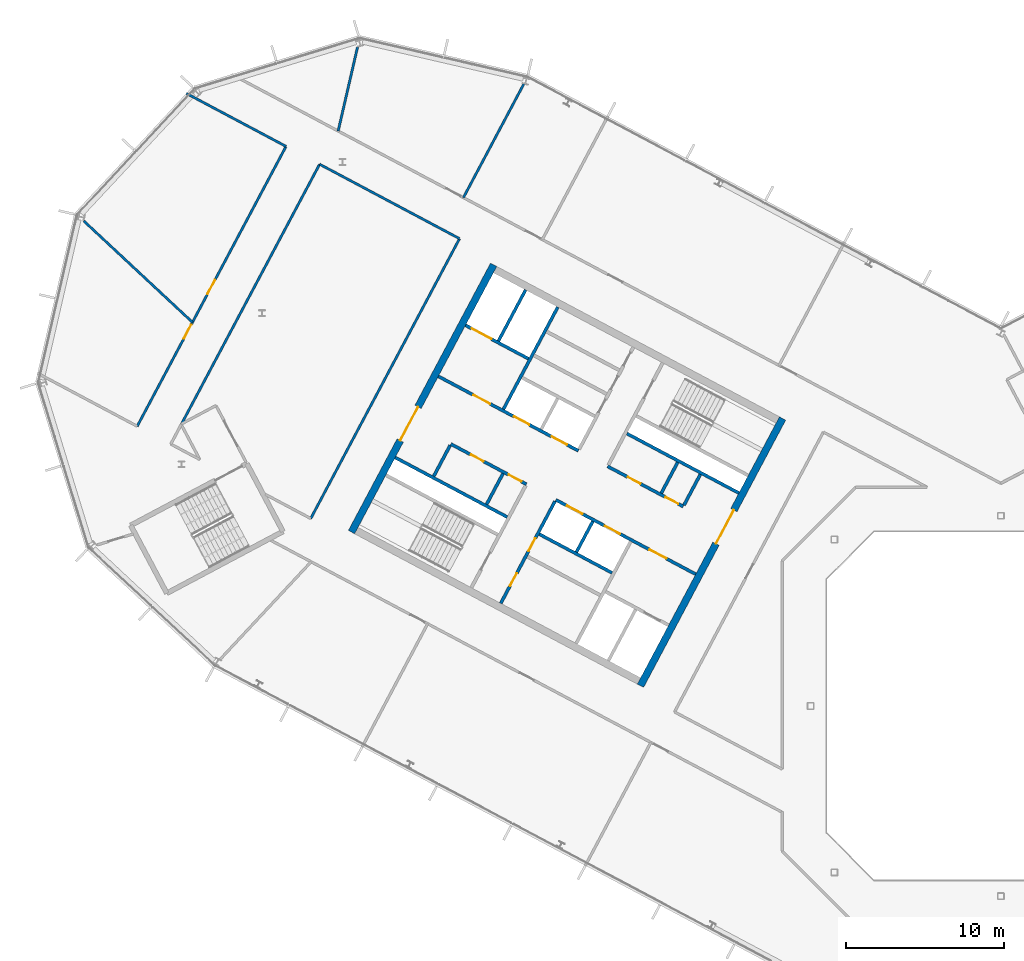
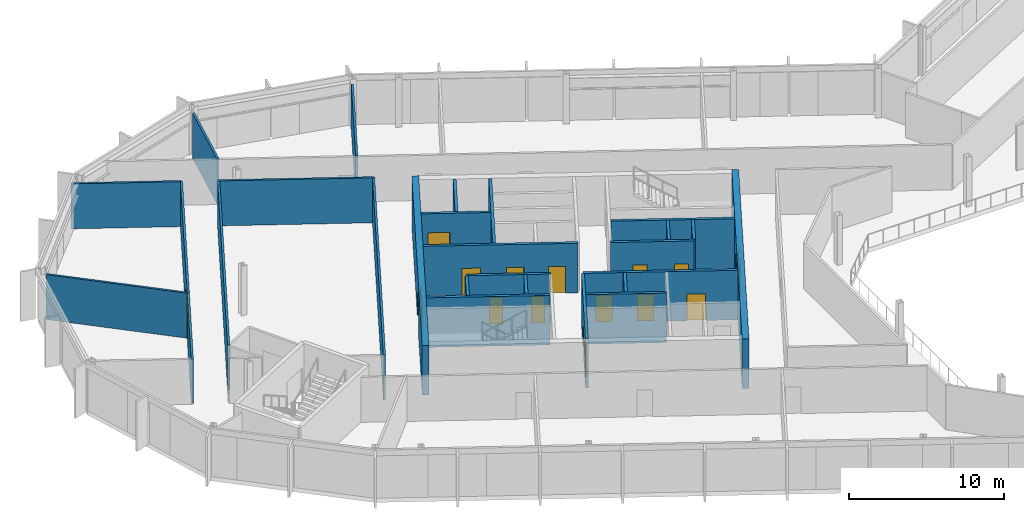
# One storey, part 14 of 26: 26 walls, 17 doors, 17 openings.
"""IFC4 building model written with IfcOpenShell, lengths in metres."""

from ifc_helpers import new_model, si_unit, direction, frame, frame_2d, origin, place, context, subcontext, project, spatial, rectangle, extrude, material, layer, layer_set, type_object, element, fill, save


model = new_model("IFC4")

# Units and contexts
model_context = context("Model", 3, precision=1e-05, world=origin(), true_north=direction((0.0, 1.0)))
body_context = subcontext(model_context, "Body", "Model", "MODEL_VIEW")
ifc_project = project(units=[si_unit("LENGTHUNIT", "METRE"), si_unit("AREAUNIT", "SQUARE_METRE"), si_unit("VOLUMEUNIT", "CUBIC_METRE"), si_unit("PLANEANGLEUNIT", "RADIAN"), si_unit("MASSUNIT", "GRAM", prefix="KILO")], contexts=[model_context])

# Site, building, storey
site_placement = place(None, origin())
site = spatial("IfcSite", under=ifc_project, at=site_placement, CompositionType="ELEMENT")
building_placement = place(site_placement, origin())
building = spatial("IfcBuilding", under=site, at=building_placement, Name="Cormorant Relay Tower", CompositionType="ELEMENT")
storey_placement = place(building_placement, frame((0.0, 0.0, 300.89990234375)))
storey = spatial("IfcBuildingStorey", under=building, at=storey_placement, Name="L68", CompositionType="ELEMENT", Elevation=300.89990234375)

# Walls
ifc_material_1 = material(Name="Concrete 40 MPa", Category="concrete")
ifc_layer_1 = layer(ifc_material_1, 0.199951171875)
ifc_layer_set_1 = layer_set([ifc_layer_1], Name="Core internal wall 200")
wall_type_1 = type_object("IfcWallType", Name="Core internal wall 200", PredefinedType="SOLIDWALL", material=ifc_layer_set_1)
wall_1_placement = place(storey_placement, frame((-20.39013671875, 15.371826171875, 0.0), z_axis=(0.0, 0.0, 1.0), x_axis=(-0.4694473164, -0.882960484464, 0.0)))
element("IfcWall", 1, at=wall_1_placement, inside=storey, type_object=wall_type_1, Name="L68 core A shaft and room wall", PredefinedType="SOLIDWALL", context=body_context, shape_type="SweptSolid", body=[
    extrude(rectangle(XDim=2.199951171875, YDim=0.199951171875, at=frame_2d((1.10009765625, 0.0))), origin(), (0.0, 0.0, 1.0), 3.900146484375),
])
wall_2_placement = place(storey_placement, frame((-25.744140625, 11.64990234375, 0.0), z_axis=(0.0, 0.0, 1.0), x_axis=(-0.469487830541, -0.882938942948, 0.0)))
element("IfcWall", 2, at=wall_2_placement, inside=storey, type_object=wall_type_1, Name="L68 core A shaft and room wall", PredefinedType="SOLIDWALL", context=body_context, shape_type="SweptSolid", body=[
    extrude(rectangle(XDim=2.2001953125, YDim=0.199951171875, at=frame_2d((1.10009765625, 0.0))), origin(), (0.0, 0.0, 1.0), 3.900146484375),
])
wall_3_placement = place(storey_placement, frame((-31.41259765625, 14.663818359375, 0.0), z_axis=(0.0, 0.0, 1.0), x_axis=(-0.469533832133, -0.882914480843, 0.0)))
element("IfcWall", 3, at=wall_3_placement, inside=storey, type_object=wall_type_1, Name="L68 core A shaft and room wall", PredefinedType="SOLIDWALL", context=body_context, shape_type="SweptSolid", body=[
    extrude(rectangle(XDim=2.199951171875, YDim=0.199951171875, at=frame_2d((1.10009765625, 0.0))), origin(), (0.0, 0.0, 1.0), 3.900146484375),
])
ifc_material_2 = material(Name="Concrete 50 MPa", Category="concrete")
ifc_layer_2 = layer(ifc_material_2, 0.199951171875)
ifc_layer_set_2 = layer_set([ifc_layer_2], Name="Core shaft wall 200")
wall_type_2 = type_object("IfcWallType", Name="Core shaft wall 200", PredefinedType="SHEAR", material=ifc_layer_set_2)
wall_4_placement = place(storey_placement, frame((-18.959716796875, 14.611328125, 0.0), z_axis=(0.0, 0.0, 1.0), x_axis=(-0.4694473164, -0.882960484464, 0.0)))
element("IfcWall", 4, at=wall_4_placement, inside=storey, type_object=wall_type_2, Name="L68 core A shaft wall", PredefinedType="SHEAR", context=body_context, shape_type="SweptSolid", body=[
    extrude(rectangle(XDim=2.199951171875, YDim=0.199951171875, at=frame_2d((1.10009765625, 0.0))), origin(), (0.0, 0.0, 1.0), 3.900146484375),
])

# Wall, openings, doors
wall_5_placement = place(storey_placement, frame((-28.128173828125, 12.91748046875, 0.0), z_axis=(0.0, 0.0, 1.0), x_axis=(-0.469454336211, -0.882956752176, 0.0)))
wall_5 = element("IfcWall", 5, at=wall_5_placement, inside=storey, type_object=wall_type_2, Name="L68 core A shaft wall", PredefinedType="SHEAR", context=body_context, shape_type="SweptSolid", body=[
    extrude(rectangle(XDim=7.300048828125, YDim=0.199951171875, at=frame_2d((3.64990234375, 0.0))), origin(), (0.0, 0.0, 1.0), 3.900146484375),
])
opening_1_placement = place(wall_5_placement, frame((2.64990234375, 0.0, 0.0)))
opening_1 = element("IfcOpeningElement", 6, at=opening_1_placement, cuts=wall_5, Name="Opening CDD-268", PredefinedType="OPENING", context=body_context, shape_type="SweptSolid", body=[
    extrude(rectangle(XDim=0.89990234375, YDim=2.10009765625, at=frame_2d((0.449951171875, 1.050048828125))), frame((0.0, 0.10986328125, 0.0), z_axis=(0.0, -1.0, 0.0), x_axis=(1.0, 0.0, 0.0)), (0.0, 0.0, 1.0), 0.219970703125),
])
opening_2_placement = place(wall_5_placement, frame((5.14990234375, 0.0, 0.0)))
opening_2 = element("IfcOpeningElement", 7, at=opening_2_placement, cuts=wall_5, Name="Opening CDD-339", PredefinedType="OPENING", context=body_context, shape_type="SweptSolid", body=[
    extrude(rectangle(XDim=0.89990234375, YDim=2.10009765625, at=frame_2d((0.449951171875, 1.050048828125))), frame((0.0, 0.10986328125, 0.0), z_axis=(0.0, -1.0, 0.0), x_axis=(1.0, 0.0, 0.0)), (0.0, 0.0, 1.0), 0.219970703125),
])
ifc_material_3 = material(Name="Steel fire door", Category="steel")
door_type_1 = type_object("IfcDoorType", Name="Core room door 900x2100", OperationType="SINGLE_SWING_LEFT", PredefinedType="DOOR", material=ifc_material_3)
door_1_placement = place(opening_1_placement, origin())
door_1 = element("IfcDoor", 8, at=door_1_placement, inside=storey, type_object=door_type_1, Name="Core room door 900x2100", OperationType="SINGLE_SWING_LEFT", OverallHeight=2.10009765625, OverallWidth=0.89990234375, PredefinedType="DOOR", context=body_context, shape_type="SweptSolid", body=[
    extrude(rectangle(XDim=0.89990234375, YDim=2.10009765625, at=frame_2d((0.449951171875, 1.050048828125))), frame((0.0, 0.02490234375, 0.0), z_axis=(0.0, -1.0, 0.0), x_axis=(1.0, 0.0, 0.0)), (0.0, 0.0, 1.0), 0.050048828125),
])
fill(opening_1, door_1)
door_2_placement = place(opening_2_placement, origin())
door_2 = element("IfcDoor", 9, at=door_2_placement, inside=storey, type_object=door_type_1, Name="Core room door 900x2100", OperationType="SINGLE_SWING_LEFT", OverallHeight=2.10009765625, OverallWidth=0.89990234375, PredefinedType="DOOR", context=body_context, shape_type="SweptSolid", body=[
    extrude(rectangle(XDim=0.89990234375, YDim=2.10009765625, at=frame_2d((0.449951171875, 1.050048828125))), frame((0.0, 0.02490234375, 0.0), z_axis=(0.0, -1.0, 0.0), x_axis=(1.0, 0.0, 0.0)), (0.0, 0.0, 1.0), 0.050048828125),
])
fill(opening_2, door_2)

# Walls
wall_6_placement = place(storey_placement, frame((-27.955322265625, 25.170654296875, 0.0), z_axis=(0.0, 0.0, 1.0), x_axis=(-0.469480409012, -0.88294288918, 0.0)))
element("IfcWall", 10, at=wall_6_placement, inside=storey, type_object=wall_type_2, Name="L68 core A shaft wall", PredefinedType="SHEAR", context=body_context, shape_type="SweptSolid", body=[
    extrude(rectangle(XDim=7.300048828125, YDim=0.199951171875, at=frame_2d((3.64990234375, 0.0))), origin(), (0.0, 0.0, 1.0), 3.900146484375),
])
wall_7_placement = place(storey_placement, frame((-34.750244140625, 16.4384765625, 0.0), z_axis=(0.0, 0.0, 1.0), x_axis=(-0.469401318492, -0.882984938828, 0.0)))
element("IfcWall", 11, at=wall_7_placement, inside=storey, type_object=wall_type_2, Name="L68 core A shaft wall", PredefinedType="SHEAR", context=body_context, shape_type="SweptSolid", body=[
    extrude(rectangle(XDim=2.199951171875, YDim=0.199951171875, at=frame_2d((1.10009765625, 0.0))), origin(), (0.0, 0.0, 1.0), 3.900146484375),
])
wall_8_placement = place(storey_placement, frame((-29.986083984375, 26.250244140625, 0.0), z_axis=(0.0, 0.0, 1.0), x_axis=(-0.469494272526, -0.882935517501, 0.0)))
element("IfcWall", 12, at=wall_8_placement, inside=storey, type_object=wall_type_2, Name="L68 core A shaft wall", PredefinedType="SHEAR", context=body_context, shape_type="SweptSolid", body=[
    extrude(rectangle(XDim=3.64990234375, YDim=0.199951171875, at=frame_2d((1.824951171875, 0.0))), origin(), (0.0, 0.0, 1.0), 3.900146484375),
])

# Wall, opening, door
wall_9_placement = place(storey_placement, frame((-29.80419921875, 21.906494140625, 0.0), z_axis=(0.0, 0.0, 1.0), x_axis=(-0.882960433586, 0.469447412093, 0.0)))
wall_9 = element("IfcWall", 13, at=wall_9_placement, inside=storey, type_object=wall_type_2, Name="L68 core A shaft wall", PredefinedType="SHEAR", context=body_context, shape_type="SweptSolid", body=[
    extrude(rectangle(XDim=4.5, YDim=0.199951171875, at=frame_2d((2.25, 0.0))), origin(), (0.0, 0.0, 1.0), 3.900146484375),
])
opening_3_placement = place(wall_9_placement, frame((2.64990234375, 0.0, 0.0)))
opening_3 = element("IfcOpeningElement", 14, at=opening_3_placement, cuts=wall_9, Name="Opening LD3-015", PredefinedType="OPENING", context=body_context, shape_type="SweptSolid", body=[
    extrude(rectangle(XDim=1.39990234375, YDim=2.39990234375, at=frame_2d((0.699951171875, 1.199951171875))), frame((0.0, 0.10986328125, 0.0), z_axis=(0.0, -1.0, 0.0), x_axis=(1.0, 0.0, 0.0)), (0.0, 0.0, 1.0), 0.219970703125),
])
ifc_material_4 = material(Name="Stainless steel 316", Category="steel")
door_type_2 = type_object("IfcDoorType", Name="Lift landing door 1400x2400", OperationType="DOUBLE_DOOR_SLIDING", PredefinedType="DOOR", material=ifc_material_4)
door_3_placement = place(opening_3_placement, origin())
door_3 = element("IfcDoor", 15, at=door_3_placement, inside=storey, type_object=door_type_2, Name="SV1 landing door", OperationType="DOUBLE_DOOR_SLIDING", OverallHeight=2.39990234375, OverallWidth=1.39990234375, PredefinedType="DOOR", context=body_context, shape_type="SweptSolid", body=[
    extrude(rectangle(XDim=1.39990234375, YDim=2.39990234375, at=frame_2d((0.699951171875, 1.199951171875))), frame((0.0, 0.02490234375, 0.0), z_axis=(0.0, -1.0, 0.0), x_axis=(1.0, 0.0, 0.0)), (0.0, 0.0, 1.0), 0.050048828125),
])
fill(opening_3, door_3)

# Wall
wall_10_placement = place(storey_placement, frame((-16.52880859375, 13.43212890625, 0.0), z_axis=(0.0, 0.0, 1.0), x_axis=(-0.88295287151, 0.469461634952, 0.0)))
element("IfcWall", 16, at=wall_10_placement, inside=storey, type_object=wall_type_2, Name="L68 core A shaft wall", PredefinedType="SHEAR", context=body_context, shape_type="SweptSolid", body=[
    extrude(rectangle(XDim=7.999755859375, YDim=0.199951171875, at=frame_2d((4.0, 0.0))), origin(), (0.0, 0.0, 1.0), 3.900146484375),
])

# Wall, openings, doors
wall_11_placement = place(storey_placement, frame((-20.03955078125, 12.58056640625, 0.0), z_axis=(0.0, 0.0, 1.0), x_axis=(-0.882942972946, 0.469480251476, 0.0)))
wall_11 = element("IfcWall", 17, at=wall_11_placement, inside=storey, type_object=wall_type_2, Name="L68 core A shaft wall", PredefinedType="SHEAR", context=body_context, shape_type="SweptSolid", body=[
    extrude(rectangle(XDim=5.39990234375, YDim=0.199951171875, at=frame_2d((2.699951171875, 0.0))), origin(), (0.0, 0.0, 1.0), 3.900146484375),
])
opening_4_placement = place(wall_11_placement, frame((0.360107421875, 0.0, 0.0)))
opening_4 = element("IfcOpeningElement", 18, at=opening_4_placement, cuts=wall_11, Name="Opening CDD-337", PredefinedType="OPENING", context=body_context, shape_type="SweptSolid", body=[
    extrude(rectangle(XDim=0.89990234375, YDim=2.10009765625, at=frame_2d((0.449951171875, 1.050048828125))), frame((0.0, 0.10986328125, 0.0), z_axis=(0.0, -1.0, 0.0), x_axis=(1.0, 0.0, 0.0)), (0.0, 0.0, 1.0), 0.219970703125),
])
opening_5_placement = place(wall_11_placement, frame((3.06005859375, 0.0, 0.0)))
opening_5 = element("IfcOpeningElement", 19, at=opening_5_placement, cuts=wall_11, Name="Opening CDD-338", PredefinedType="OPENING", context=body_context, shape_type="SweptSolid", body=[
    extrude(rectangle(XDim=0.89990234375, YDim=2.10009765625, at=frame_2d((0.449951171875, 1.050048828125))), frame((0.0, 0.10986328125, 0.0), z_axis=(0.0, -1.0, 0.0), x_axis=(1.0, 0.0, 0.0)), (0.0, 0.0, 1.0), 0.219970703125),
])
door_4_placement = place(opening_4_placement, frame((0.89990234375, 0.0, 0.0), z_axis=(0.0, 0.0, 1.0), x_axis=(-1.0, 0.0, 0.0)))
door_4 = element("IfcDoor", 20, at=door_4_placement, inside=storey, type_object=door_type_1, Name="Core room door 900x2100", OperationType="SINGLE_SWING_RIGHT", OverallHeight=2.10009765625, OverallWidth=0.89990234375, PredefinedType="DOOR", context=body_context, shape_type="SweptSolid", body=[
    extrude(rectangle(XDim=0.89990234375, YDim=2.10009765625, at=frame_2d((0.449951171875, 1.050048828125))), frame((0.0, 0.02490234375, 0.0), z_axis=(0.0, -1.0, 0.0), x_axis=(1.0, 0.0, 0.0)), (0.0, 0.0, 1.0), 0.050048828125),
])
fill(opening_4, door_4)
door_5_placement = place(opening_5_placement, frame((0.89990234375, 0.0, 0.0), z_axis=(0.0, 0.0, 1.0), x_axis=(-1.0, 0.0, 0.0)))
door_5 = element("IfcDoor", 21, at=door_5_placement, inside=storey, type_object=door_type_1, Name="Core room door 900x2100", OperationType="SINGLE_SWING_RIGHT", OverallHeight=2.10009765625, OverallWidth=0.89990234375, PredefinedType="DOOR", context=body_context, shape_type="SweptSolid", body=[
    extrude(rectangle(XDim=0.89990234375, YDim=2.10009765625, at=frame_2d((0.449951171875, 1.050048828125))), frame((0.0, 0.02490234375, 0.0), z_axis=(0.0, -1.0, 0.0), x_axis=(1.0, 0.0, 0.0)), (0.0, 0.0, 1.0), 0.050048828125),
])
fill(opening_5, door_5)

wall_12_placement = place(storey_placement, frame((-26.66162109375, 16.1015625, 0.0), z_axis=(0.0, 0.0, 1.0), x_axis=(-0.882940221191, 0.469485426614, 0.0)))
wall_12 = element("IfcWall", 22, at=wall_12_placement, inside=storey, type_object=wall_type_2, Name="L68 core A shaft wall", PredefinedType="SHEAR", context=body_context, shape_type="SweptSolid", body=[
    extrude(rectangle(XDim=10.0, YDim=0.199951171875, at=frame_2d((5.0, 0.0))), origin(), (0.0, 0.0, 1.0), 3.900146484375),
])
opening_6_placement = place(wall_12_placement, frame((6.300048828125, 0.0, 0.0)))
opening_6 = element("IfcOpeningElement", 23, at=opening_6_placement, cuts=wall_12, Name="Opening CDC-039", PredefinedType="OPENING", context=body_context, shape_type="SweptSolid", body=[
    extrude(rectangle(XDim=1.199951171875, YDim=2.10009765625, at=frame_2d((0.60009765625, 1.050048828125))), frame((0.0, 0.10986328125, 0.0), z_axis=(0.0, -1.0, 0.0), x_axis=(1.0, 0.0, 0.0)), (0.0, 0.0, 1.0), 0.219970703125),
])
opening_7_placement = place(wall_12_placement, frame((0.800048828125, 0.0, 0.0)))
opening_7 = element("IfcOpeningElement", 24, at=opening_7_placement, cuts=wall_12, Name="Opening LD1-067", PredefinedType="OPENING", context=body_context, shape_type="SweptSolid", body=[
    extrude(rectangle(XDim=1.10009765625, YDim=2.10009765625, at=frame_2d((0.550048828125, 1.050048828125))), frame((0.0, 0.10986328125, 0.0), z_axis=(0.0, -1.0, 0.0), x_axis=(1.0, 0.0, 0.0)), (0.0, 0.0, 1.0), 0.219970703125),
])
opening_8_placement = place(wall_12_placement, frame((3.5, 0.0, 0.0)))
opening_8 = element("IfcOpeningElement", 25, at=opening_8_placement, cuts=wall_12, Name="Opening LD1-068", PredefinedType="OPENING", context=body_context, shape_type="SweptSolid", body=[
    extrude(rectangle(XDim=1.10009765625, YDim=2.10009765625, at=frame_2d((0.550048828125, 1.050048828125))), frame((0.0, 0.10986328125, 0.0), z_axis=(0.0, -1.0, 0.0), x_axis=(1.0, 0.0, 0.0)), (0.0, 0.0, 1.0), 0.219970703125),
])
ifc_material_5 = material(Name="Steel fire door", Category="steel")
door_type_3 = type_object("IfcDoorType", Name="Core lobby door 1200x2100", OperationType="SINGLE_SWING_LEFT", PredefinedType="DOOR", material=ifc_material_5)
door_6_placement = place(opening_6_placement, frame((1.199951171875, 0.0, 0.0), z_axis=(0.0, 0.0, 1.0), x_axis=(-1.0, 0.0, 0.0)))
door_6 = element("IfcDoor", 26, at=door_6_placement, inside=storey, type_object=door_type_3, Name="Core lobby door 1200x2100", OperationType="SINGLE_SWING_RIGHT", OverallHeight=2.10009765625, OverallWidth=1.199951171875, PredefinedType="DOOR", context=body_context, shape_type="SweptSolid", body=[
    extrude(rectangle(XDim=1.199951171875, YDim=2.10009765625, at=frame_2d((0.60009765625, 1.050048828125))), frame((0.0, 0.02490234375, 0.0), z_axis=(0.0, -1.0, 0.0), x_axis=(1.0, 0.0, 0.0)), (0.0, 0.0, 1.0), 0.050048828125),
])
fill(opening_6, door_6)
ifc_material_6 = material(Name="Stainless steel 316", Category="steel")
door_type_4 = type_object("IfcDoorType", Name="Lift landing door 1100x2100", OperationType="DOUBLE_DOOR_SLIDING", PredefinedType="DOOR", material=ifc_material_6)
door_7_placement = place(opening_7_placement, origin())
door_7 = element("IfcDoor", 27, at=door_7_placement, inside=storey, type_object=door_type_4, Name="HR3 landing door", OperationType="DOUBLE_DOOR_SLIDING", OverallHeight=2.10009765625, OverallWidth=1.10009765625, PredefinedType="DOOR", context=body_context, shape_type="SweptSolid", body=[
    extrude(rectangle(XDim=1.10009765625, YDim=2.10009765625, at=frame_2d((0.550048828125, 1.050048828125))), frame((0.0, 0.02490234375, 0.0), z_axis=(0.0, -1.0, 0.0), x_axis=(1.0, 0.0, 0.0)), (0.0, 0.0, 1.0), 0.050048828125),
])
fill(opening_7, door_7)
door_8_placement = place(opening_8_placement, origin())
door_8 = element("IfcDoor", 28, at=door_8_placement, inside=storey, type_object=door_type_4, Name="HR4 landing door", OperationType="DOUBLE_DOOR_SLIDING", OverallHeight=2.10009765625, OverallWidth=1.10009765625, PredefinedType="DOOR", context=body_context, shape_type="SweptSolid", body=[
    extrude(rectangle(XDim=1.10009765625, YDim=2.10009765625, at=frame_2d((0.550048828125, 1.050048828125))), frame((0.0, 0.02490234375, 0.0), z_axis=(0.0, -1.0, 0.0), x_axis=(1.0, 0.0, 0.0)), (0.0, 0.0, 1.0), 0.050048828125),
])
fill(opening_8, door_8)

wall_13_placement = place(storey_placement, frame((-19.251708984375, 8.31103515625, 0.0), z_axis=(0.0, 0.0, 1.0), x_axis=(-0.882955722218, 0.469456273365, 0.0)))
wall_13 = element("IfcWall", 29, at=wall_13_placement, inside=storey, type_object=wall_type_2, Name="L68 core A shaft wall", PredefinedType="SHEAR", context=body_context, shape_type="SweptSolid", body=[
    extrude(rectangle(XDim=10.0, YDim=0.199951171875, at=frame_2d((5.0, 0.0))), origin(), (0.0, 0.0, 1.0), 3.900146484375),
])
opening_9_placement = place(wall_13_placement, frame((2.10009765625, 0.0, 0.0)))
opening_9 = element("IfcOpeningElement", 30, at=opening_9_placement, cuts=wall_13, Name="Opening CDC-033", PredefinedType="OPENING", context=body_context, shape_type="SweptSolid", body=[
    extrude(rectangle(XDim=1.199951171875, YDim=2.10009765625, at=frame_2d((0.60009765625, 1.050048828125))), frame((0.0, 0.10986328125, 0.0), z_axis=(0.0, -1.0, 0.0), x_axis=(1.0, 0.0, 0.0)), (0.0, 0.0, 1.0), 0.219970703125),
])
opening_10_placement = place(wall_13_placement, frame((5.39990234375, 0.0, 0.0)))
opening_10 = element("IfcOpeningElement", 31, at=opening_10_placement, cuts=wall_13, Name="Opening LD1-065", PredefinedType="OPENING", context=body_context, shape_type="SweptSolid", body=[
    extrude(rectangle(XDim=1.10009765625, YDim=2.10009765625, at=frame_2d((0.550048828125, 1.050048828125))), frame((0.0, 0.10986328125, 0.0), z_axis=(0.0, -1.0, 0.0), x_axis=(1.0, 0.0, 0.0)), (0.0, 0.0, 1.0), 0.219970703125),
])
opening_11_placement = place(wall_13_placement, frame((8.10009765625, 0.0, 0.0)))
opening_11 = element("IfcOpeningElement", 32, at=opening_11_placement, cuts=wall_13, Name="Opening LD1-066", PredefinedType="OPENING", context=body_context, shape_type="SweptSolid", body=[
    extrude(rectangle(XDim=1.10009765625, YDim=2.10009765625, at=frame_2d((0.550048828125, 1.050048828125))), frame((0.0, 0.10986328125, 0.0), z_axis=(0.0, -1.0, 0.0), x_axis=(1.0, 0.0, 0.0)), (0.0, 0.0, 1.0), 0.219970703125),
])
door_9_placement = place(opening_9_placement, origin())
door_9 = element("IfcDoor", 33, at=door_9_placement, inside=storey, type_object=door_type_3, Name="Core lobby door 1200x2100", OperationType="SINGLE_SWING_RIGHT", OverallHeight=2.10009765625, OverallWidth=1.199951171875, PredefinedType="DOOR", context=body_context, shape_type="SweptSolid", body=[
    extrude(rectangle(XDim=1.199951171875, YDim=2.10009765625, at=frame_2d((0.60009765625, 1.050048828125))), frame((0.0, 0.02490234375, 0.0), z_axis=(0.0, -1.0, 0.0), x_axis=(1.0, 0.0, 0.0)), (0.0, 0.0, 1.0), 0.050048828125),
])
fill(opening_9, door_9)
door_10_placement = place(opening_10_placement, origin())
door_10 = element("IfcDoor", 34, at=door_10_placement, inside=storey, type_object=door_type_4, Name="HR1 landing door", OperationType="DOUBLE_DOOR_SLIDING", OverallHeight=2.10009765625, OverallWidth=1.10009765625, PredefinedType="DOOR", context=body_context, shape_type="SweptSolid", body=[
    extrude(rectangle(XDim=1.10009765625, YDim=2.10009765625, at=frame_2d((0.550048828125, 1.050048828125))), frame((0.0, 0.02490234375, 0.0), z_axis=(0.0, -1.0, 0.0), x_axis=(1.0, 0.0, 0.0)), (0.0, 0.0, 1.0), 0.050048828125),
])
fill(opening_10, door_10)
door_11_placement = place(opening_11_placement, origin())
door_11 = element("IfcDoor", 35, at=door_11_placement, inside=storey, type_object=door_type_4, Name="HR2 landing door", OperationType="DOUBLE_DOOR_SLIDING", OverallHeight=2.10009765625, OverallWidth=1.10009765625, PredefinedType="DOOR", context=body_context, shape_type="SweptSolid", body=[
    extrude(rectangle(XDim=1.10009765625, YDim=2.10009765625, at=frame_2d((0.550048828125, 1.050048828125))), frame((0.0, 0.02490234375, 0.0), z_axis=(0.0, -1.0, 0.0), x_axis=(1.0, 0.0, 0.0)), (0.0, 0.0, 1.0), 0.050048828125),
])
fill(opening_11, door_11)

wall_14_placement = place(storey_placement, frame((-29.935302734375, 13.991455078125, 0.0), z_axis=(0.0, 0.0, 1.0), x_axis=(-0.882952937579, 0.469461510692, 0.0)))
wall_14 = element("IfcWall", 36, at=wall_14_placement, inside=storey, type_object=wall_type_2, Name="L68 core A shaft wall", PredefinedType="SHEAR", context=body_context, shape_type="SweptSolid", body=[
    extrude(rectangle(XDim=5.400146484375, YDim=0.199951171875, at=frame_2d((2.7001953125, 0.0))), origin(), (0.0, 0.0, 1.0), 3.900146484375),
])
opening_12_placement = place(wall_14_placement, frame((0.360107421875, 0.0, 0.0)))
opening_12 = element("IfcOpeningElement", 37, at=opening_12_placement, cuts=wall_14, Name="Opening CDD-320", PredefinedType="OPENING", context=body_context, shape_type="SweptSolid", body=[
    extrude(rectangle(XDim=0.89990234375, YDim=2.10009765625, at=frame_2d((0.449951171875, 1.050048828125))), frame((0.0, 0.10986328125, 0.0), z_axis=(0.0, -1.0, 0.0), x_axis=(1.0, 0.0, 0.0)), (0.0, 0.0, 1.0), 0.219970703125),
])
opening_13_placement = place(wall_14_placement, frame((3.06005859375, 0.0, 0.0)))
opening_13 = element("IfcOpeningElement", 38, at=opening_13_placement, cuts=wall_14, Name="Opening CDD-321", PredefinedType="OPENING", context=body_context, shape_type="SweptSolid", body=[
    extrude(rectangle(XDim=0.89990234375, YDim=2.10009765625, at=frame_2d((0.449951171875, 1.050048828125))), frame((0.0, 0.10986328125, 0.0), z_axis=(0.0, -1.0, 0.0), x_axis=(1.0, 0.0, 0.0)), (0.0, 0.0, 1.0), 0.219970703125),
])
door_12_placement = place(opening_12_placement, origin())
door_12 = element("IfcDoor", 39, at=door_12_placement, inside=storey, type_object=door_type_1, Name="Core room door 900x2100", OperationType="SINGLE_SWING_LEFT", OverallHeight=2.10009765625, OverallWidth=0.89990234375, PredefinedType="DOOR", context=body_context, shape_type="SweptSolid", body=[
    extrude(rectangle(XDim=0.89990234375, YDim=2.10009765625, at=frame_2d((0.449951171875, 1.050048828125))), frame((0.0, 0.02490234375, 0.0), z_axis=(0.0, -1.0, 0.0), x_axis=(1.0, 0.0, 0.0)), (0.0, 0.0, 1.0), 0.050048828125),
])
fill(opening_12, door_12)
door_13_placement = place(opening_13_placement, origin())
door_13 = element("IfcDoor", 40, at=door_13_placement, inside=storey, type_object=door_type_1, Name="Core room door 900x2100", OperationType="SINGLE_SWING_LEFT", OverallHeight=2.10009765625, OverallWidth=0.89990234375, PredefinedType="DOOR", context=body_context, shape_type="SweptSolid", body=[
    extrude(rectangle(XDim=0.89990234375, YDim=2.10009765625, at=frame_2d((0.449951171875, 1.050048828125))), frame((0.0, 0.02490234375, 0.0), z_axis=(0.0, -1.0, 0.0), x_axis=(1.0, 0.0, 0.0)), (0.0, 0.0, 1.0), 0.050048828125),
])
fill(opening_13, door_13)

# Walls
wall_15_placement = place(storey_placement, frame((-24.5283203125, 8.3984375, 0.0), z_axis=(0.0, 0.0, 1.0), x_axis=(-0.882953967957, 0.469459572775, 0.0)))
element("IfcWall", 41, at=wall_15_placement, inside=storey, type_object=wall_type_2, Name="L68 core A shaft wall", PredefinedType="SHEAR", context=body_context, shape_type="SweptSolid", body=[
    extrude(rectangle(XDim=5.199951171875, YDim=0.199951171875, at=frame_2d((2.60009765625, 0.0))), origin(), (0.0, 0.0, 1.0), 3.900146484375),
])
wall_16_placement = place(storey_placement, frame((-31.150390625, 11.91943359375, 0.0), z_axis=(0.0, 0.0, 1.0), x_axis=(-0.882940221191, 0.469485426614, 0.0)))
element("IfcWall", 42, at=wall_16_placement, inside=storey, type_object=wall_type_2, Name="L68 core A shaft wall", PredefinedType="SHEAR", context=body_context, shape_type="SweptSolid", body=[
    extrude(rectangle(XDim=8.0, YDim=0.199951171875, at=frame_2d((4.0, 0.0))), origin(), (0.0, 0.0, 1.0), 3.900146484375),
])

# Wall, opening, door
ifc_material_7 = material(Name="Concrete 50 MPa", Category="concrete")
ifc_layer_3 = layer(ifc_material_7, 0.449951171875)
ifc_layer_set_3 = layer_set([ifc_layer_3], Name="Core wall 450")
wall_type_3 = type_object("IfcWallType", Name="Core wall 450", PredefinedType="SHEAR", material=ifc_layer_set_3)
wall_17_placement = place(storey_placement, frame((-13.771484375, 18.138427734375, 0.0), z_axis=(0.0, 0.0, 1.0), x_axis=(-0.469467968382, -0.882949504028, 0.0)))
wall_17 = element("IfcWall", 43, at=wall_17_placement, inside=storey, type_object=wall_type_3, Name="L68 core A wall", PredefinedType="SHEAR", context=body_context, shape_type="SweptSolid", body=[
    extrude(rectangle(XDim=19.099853515625, YDim=0.449951171875, at=frame_2d((9.5498046875, 0.0))), origin(), (0.0, 0.0, 1.0), 3.900146484375),
])
opening_14_placement = place(wall_17_placement, frame((6.550048828125, 0.0, 0.0)))
opening_14 = element("IfcOpeningElement", 44, at=opening_14_placement, cuts=wall_17, Name="Opening CDA-050", PredefinedType="OPENING", context=body_context, shape_type="SweptSolid", body=[
    extrude(rectangle(XDim=2.39990234375, YDim=2.39990234375, at=frame_2d((1.199951171875, 1.199951171875))), frame((0.0, 0.23486328125, 0.0), z_axis=(0.0, -1.0, 0.0), x_axis=(1.0, 0.0, 0.0)), (0.0, 0.0, 1.0), 0.469970703125),
])
ifc_material_8 = material(Name="Steel fire door", Category="steel")
door_type_5 = type_object("IfcDoorType", Name="Core lobby door 2400x2400", OperationType="DOUBLE_DOOR_SINGLE_SWING", PredefinedType="DOOR", material=ifc_material_8)
door_14_placement = place(opening_14_placement, origin())
door_14 = element("IfcDoor", 45, at=door_14_placement, inside=storey, type_object=door_type_5, Name="Core lobby door 2400x2400", OperationType="DOUBLE_DOOR_SINGLE_SWING", OverallHeight=2.39990234375, OverallWidth=2.39990234375, PredefinedType="DOOR", context=body_context, shape_type="SweptSolid", body=[
    extrude(rectangle(XDim=2.39990234375, YDim=2.39990234375, at=frame_2d((1.199951171875, 1.199951171875))), frame((0.0, 0.02490234375, 0.0), z_axis=(0.0, -1.0, 0.0), x_axis=(1.0, 0.0, 0.0)), (0.0, 0.0, 1.0), 0.050048828125),
])
fill(opening_14, door_14)

wall_18_placement = place(storey_placement, frame((-32.00439453125, 27.8330078125, 0.0), z_axis=(0.0, 0.0, 1.0), x_axis=(-0.469467968382, -0.882949504028, 0.0)))
wall_18 = element("IfcWall", 46, at=wall_18_placement, inside=storey, type_object=wall_type_3, Name="L68 core A wall", PredefinedType="SHEAR", context=body_context, shape_type="SweptSolid", body=[
    extrude(rectangle(XDim=19.099853515625, YDim=0.449951171875, at=frame_2d((9.5498046875, 0.0))), origin(), (0.0, 0.0, 1.0), 3.900146484375),
])
opening_15_placement = place(wall_18_placement, frame((10.14990234375, 0.0, 0.0)))
opening_15 = element("IfcOpeningElement", 47, at=opening_15_placement, cuts=wall_18, Name="Opening CDA-056", PredefinedType="OPENING", context=body_context, shape_type="SweptSolid", body=[
    extrude(rectangle(XDim=2.39990234375, YDim=2.39990234375, at=frame_2d((1.199951171875, 1.199951171875))), frame((0.0, 0.23486328125, 0.0), z_axis=(0.0, -1.0, 0.0), x_axis=(1.0, 0.0, 0.0)), (0.0, 0.0, 1.0), 0.469970703125),
])
door_15_placement = place(opening_15_placement, frame((2.39990234375, 0.0, 0.0), z_axis=(0.0, 0.0, 1.0), x_axis=(-1.0, 0.0, 0.0)))
door_15 = element("IfcDoor", 48, at=door_15_placement, inside=storey, type_object=door_type_5, Name="Core lobby door 2400x2400", OperationType="DOUBLE_DOOR_SINGLE_SWING", OverallHeight=2.39990234375, OverallWidth=2.39990234375, PredefinedType="DOOR", context=body_context, shape_type="SweptSolid", body=[
    extrude(rectangle(XDim=2.39990234375, YDim=2.39990234375, at=frame_2d((1.199951171875, 1.199951171875))), frame((0.0, 0.02490234375, 0.0), z_axis=(0.0, -1.0, 0.0), x_axis=(1.0, 0.0, 0.0)), (0.0, 0.0, 1.0), 0.050048828125),
])
fill(opening_15, door_15)

# Wall, openings, doors
ifc_material_9 = material(Name="Gypsum board fire partition")
ifc_layer_4 = layer(ifc_material_9, 0.14990234375)
ifc_layer_set_4 = layer_set([ifc_layer_4], Name="Corridor partition 150 EI 60")
wall_type_4 = type_object("IfcWallType", Name="Corridor partition 150 EI 60", PredefinedType="PARTITIONING", material=ifc_layer_set_4)
wall_19_placement = place(storey_placement, frame((-54.492919921875, 17.64892578125, 0.0), z_axis=(0.0, 0.0, 1.0), x_axis=(0.469446756585, 0.882960782103, 0.0)))
wall_19 = element("IfcWall", 49, at=wall_19_placement, inside=storey, type_object=wall_type_4, Name="wall/L68/part/001", PredefinedType="PARTITIONING", context=body_context, shape_type="SweptSolid", body=[
    extrude(rectangle(XDim=20.0, YDim=0.14990234375, at=frame_2d((10.0, 0.0))), origin(), (0.0, 0.0, 1.0), 3.5400390625),
])
opening_16_placement = place(wall_19_placement, frame((9.449951171875, 0.0, 0.0)))
opening_16 = element("IfcOpeningElement", 50, at=opening_16_placement, cuts=wall_19, Name="Opening DS-232", PredefinedType="OPENING", context=body_context, shape_type="SweptSolid", body=[
    extrude(rectangle(XDim=1.0, YDim=2.10009765625, at=frame_2d((0.5, 1.050048828125))), frame((0.0, 0.0849609375, 0.0), z_axis=(0.0, -1.0, 0.0), x_axis=(1.0, 0.0, 0.0)), (0.0, 0.0, 1.0), 0.169921875),
])
opening_17_placement = place(wall_19_placement, frame((6.25, 0.0, 0.0)))
opening_17 = element("IfcOpeningElement", 51, at=opening_17_placement, cuts=wall_19, Name="Opening DS-233", PredefinedType="OPENING", context=body_context, shape_type="SweptSolid", body=[
    extrude(rectangle(XDim=1.0, YDim=2.10009765625, at=frame_2d((0.5, 1.050048828125))), frame((0.0, 0.0849609375, 0.0), z_axis=(0.0, -1.0, 0.0), x_axis=(1.0, 0.0, 0.0)), (0.0, 0.0, 1.0), 0.169921875),
])
ifc_material_10 = material(Name="Timber door leaf", Category="wood")
door_type_6 = type_object("IfcDoorType", Name="Suite door 1000x2100", OperationType="SINGLE_SWING_LEFT", PredefinedType="DOOR", material=ifc_material_10)
door_16_placement = place(opening_16_placement, frame((1.0, 0.0, 0.0), z_axis=(0.0, 0.0, 1.0), x_axis=(-1.0, 0.0, 0.0)))
door_16 = element("IfcDoor", 52, at=door_16_placement, inside=storey, type_object=door_type_6, Name="door/L68/001", OperationType="SINGLE_SWING_LEFT", OverallHeight=2.10009765625, OverallWidth=1.0, PredefinedType="DOOR", context=body_context, shape_type="SweptSolid", body=[
    extrude(rectangle(XDim=1.0, YDim=2.10009765625, at=frame_2d((0.5, 1.050048828125))), frame((0.0, 0.02490234375, 0.0), z_axis=(0.0, -1.0, 0.0), x_axis=(1.0, 0.0, 0.0)), (0.0, 0.0, 1.0), 0.050048828125),
])
fill(opening_16, door_16)
door_17_placement = place(opening_17_placement, frame((1.0, 0.0, 0.0), z_axis=(0.0, 0.0, 1.0), x_axis=(-1.0, 0.0, 0.0)))
door_17 = element("IfcDoor", 53, at=door_17_placement, inside=storey, type_object=door_type_6, Name="door/L68/002", OperationType="SINGLE_SWING_LEFT", OverallHeight=2.10009765625, OverallWidth=1.0, PredefinedType="DOOR", context=body_context, shape_type="SweptSolid", body=[
    extrude(rectangle(XDim=1.0, YDim=2.10009765625, at=frame_2d((0.5, 1.050048828125))), frame((0.0, 0.02490234375, 0.0), z_axis=(0.0, -1.0, 0.0), x_axis=(1.0, 0.0, 0.0)), (0.0, 0.0, 1.0), 0.050048828125),
])
fill(opening_17, door_17)

# Walls
wall_20_placement = place(storey_placement, frame((-45.10400390625, 35.30810546875, 0.0), z_axis=(0.0, 0.0, 1.0), x_axis=(-0.883009246848, 0.469355590125, 0.0)))
element("IfcWall", 54, at=wall_20_placement, inside=storey, type_object=wall_type_4, Name="wall/L68/part/002", PredefinedType="PARTITIONING", context=body_context, shape_type="SweptSolid", body=[
    extrude(rectangle(XDim=7.126708984375, YDim=0.14990234375, at=frame_2d((3.5634765625, 0.0))), origin(), (0.0, 0.0, 1.0), 3.5400390625),
])
wall_21_placement = place(storey_placement, frame((-51.695068359375, 17.798095703125, 0.0), z_axis=(0.0, 0.0, 1.0), x_axis=(0.469483567396, 0.88294120979, 0.0)))
element("IfcWall", 55, at=wall_21_placement, inside=storey, type_object=wall_type_4, Name="wall/L68/part/012", PredefinedType="PARTITIONING", context=body_context, shape_type="SweptSolid", body=[
    extrude(rectangle(XDim=18.554931640625, YDim=0.14990234375, at=frame_2d((9.27734375, 0.0))), origin(), (0.0, 0.0, 1.0), 3.5400390625),
])
wall_22_placement = place(storey_placement, frame((-42.98388671875, 34.180908203125, 0.0), z_axis=(0.0, 0.0, 1.0), x_axis=(0.882929457898, -0.469505668097, 0.0)))
element("IfcWall", 56, at=wall_22_placement, inside=storey, type_object=wall_type_4, Name="wall/L68/part/013", PredefinedType="PARTITIONING", context=body_context, shape_type="SweptSolid", body=[
    extrude(rectangle(XDim=9.99951171875, YDim=0.14990234375, at=frame_2d((4.999755859375, 0.0))), origin(), (0.0, 0.0, 1.0), 3.5400390625),
])
wall_23_placement = place(storey_placement, frame((-34.155029296875, 29.486083984375, 0.0), z_axis=(0.0, 0.0, 1.0), x_axis=(-0.469446756585, -0.882960782103, 0.0)))
element("IfcWall", 57, at=wall_23_placement, inside=storey, type_object=wall_type_4, Name="wall/L68/part/014", PredefinedType="PARTITIONING", context=body_context, shape_type="SweptSolid", body=[
    extrude(rectangle(XDim=20.0, YDim=0.14990234375, at=frame_2d((10.0, 0.0))), origin(), (0.0, 0.0, 1.0), 3.5400390625),
])
ifc_material_11 = material(Name="Gypsum board partition")
ifc_layer_5 = layer(ifc_material_11, 0.14990234375)
ifc_layer_set_5 = layer_set([ifc_layer_5], Name="Tenant partition 150")
wall_type_5 = type_object("IfcWallType", Name="Tenant partition 150", PredefinedType="PARTITIONING", material=ifc_layer_set_5)
wall_24_placement = place(storey_placement, frame((-57.8720703125, 30.60791015625, 0.0), z_axis=(0.0, 0.0, 1.0), x_axis=(0.731446083693, -0.681899278963, 0.0)))
element("IfcWall", 58, at=wall_24_placement, inside=storey, type_object=wall_type_5, Name="wall/L68/part/003", PredefinedType="PARTITIONING", context=body_context, shape_type="SweptSolid", body=[
    extrude(rectangle(XDim=9.38671875, YDim=0.14990234375, at=frame_2d((4.693359375, 0.0))), origin(), (0.0, 0.0, 1.0), 3.5400390625),
])
wall_25_placement = place(storey_placement, frame((-30.097900390625, 39.2470703125, 0.0), z_axis=(0.0, 0.0, 1.0), x_axis=(-0.469424042577, -0.882972858162, 0.0)))
element("IfcWall", 59, at=wall_25_placement, inside=storey, type_object=wall_type_5, Name="wall/L68/part/017", PredefinedType="PARTITIONING", context=body_context, shape_type="SweptSolid", body=[
    extrude(rectangle(XDim=8.122802734375, YDim=0.14990234375, at=frame_2d((4.0615234375, 0.0))), origin(), (0.0, 0.0, 1.0), 3.5400390625),
])
wall_26_placement = place(storey_placement, frame((-41.81298828125, 36.27587890625, 0.0), z_axis=(0.0, 0.0, 1.0), x_axis=(0.224866064011, 0.974389682445, 0.0)))
element("IfcWall", 60, at=wall_26_placement, inside=storey, type_object=wall_type_5, Name="wall/L68/part/018", PredefinedType="PARTITIONING", context=body_context, shape_type="SweptSolid", body=[
    extrude(rectangle(XDim=5.438232421875, YDim=0.14990234375, at=frame_2d((2.71923828125, 0.0))), origin(), (0.0, 0.0, 1.0), 3.5400390625),
])

save(model, "model.ifc")
